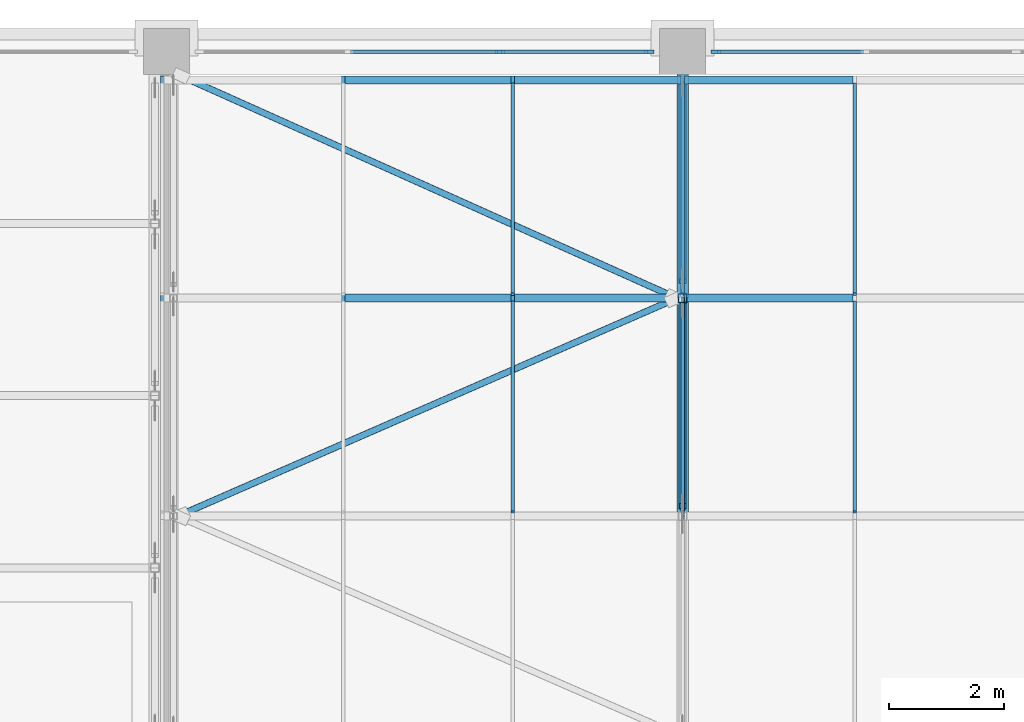
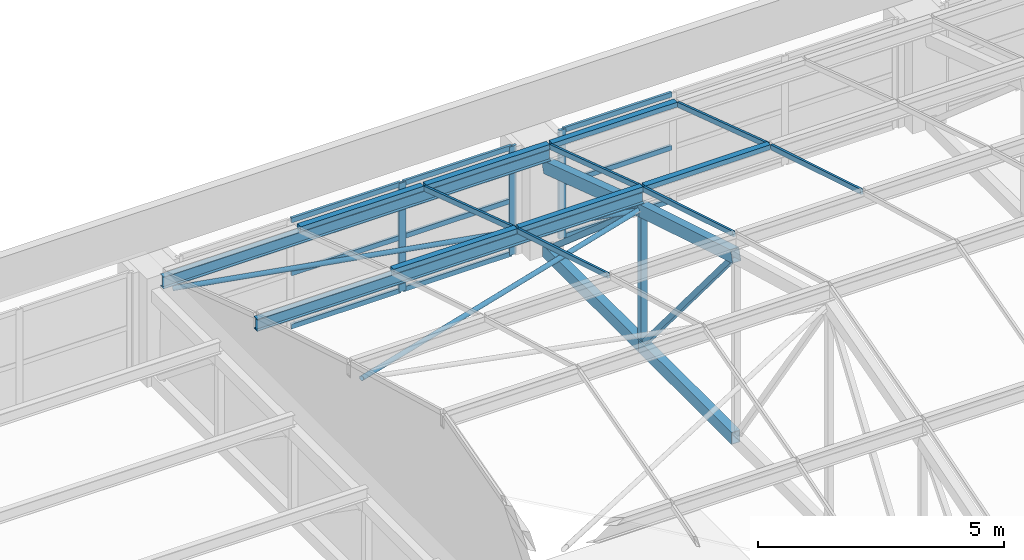
# One storey, part 9 of 82: 35 members, 3 elements without a shape of their own.
"""IFC4 building model written with IfcOpenShell, lengths in metres."""

from ifc_helpers import new_model, si_unit, direction, frame, origin, origin_2d, place, context, subcontext, project, spatial, rectangle, hollow_rectangle, hollow_circle, i_section, extrude, material, material_profile, profile_set, type_object, element, aggregate, save


model = new_model("IFC4")

# Units and contexts
model_context = context("Model", 3, precision=1e-05, world=origin(), true_north=direction((0.0, 1.0)))
body_context = subcontext(model_context, "Body", "Model", "MODEL_VIEW")
ifc_project = project(units=[si_unit("LENGTHUNIT", "METRE"), si_unit("AREAUNIT", "SQUARE_METRE"), si_unit("VOLUMEUNIT", "CUBIC_METRE"), si_unit("PLANEANGLEUNIT", "RADIAN"), si_unit("MASSUNIT", "GRAM", prefix="KILO")], contexts=[model_context])

# Site, building, storey
site_placement = place(None, origin())
site = spatial("IfcSite", under=ifc_project, at=site_placement, CompositionType="ELEMENT")
building_placement = place(site_placement, origin())
building = spatial("IfcBuilding", under=site, at=building_placement, Name="Aravalli Gate Trade Fair Centre", CompositionType="ELEMENT")
storey_placement = place(building_placement, frame((0.0, 0.0, 19.199951171875)))
storey = spatial("IfcBuildingStorey", under=building, at=storey_placement, Name="L04", CompositionType="ELEMENT", Elevation=19.199951171875)

# Members
ifc_material_1 = material(Name="Steel E350", Category="steel")
ifc_material_profile_1 = material_profile(ifc_material_1, hollow_circle(Radius=0.05712890625, WallThickness=0.00439453125, at=origin_2d()), Name="CHS 114.3x4.5")
ifc_profile_set_1 = profile_set([ifc_material_profile_1], Name="Steel E350")
member_type_1 = type_object("IfcMemberType", Name="CHS 114.3x4.5 roof plan brace", PredefinedType="BRACE", material=ifc_profile_set_1)
member_1_placement = place(storey_placement, frame((15.199951171875, 124.89990234375, 4.699462890625), z_axis=(0.909445062568, 0.397236211558, -0.122935228466), x_axis=(-0.400272399235, 0.916396206022, 0.0)))
element("IfcMember", 1, at=member_1_placement, inside=storey, type_object=member_type_1, Name="Vault plan brace 2.5", PredefinedType="BRACE", context=body_context, shape_type="SweptSolid", body=[
    extrude(hollow_circle(Radius=0.05712890625, WallThickness=0.00439453125, at=origin_2d()), origin(), (0.0, 0.0, 1.0), 9.566162109375),
])
member_2_placement = place(storey_placement, frame((15.199951171875, 132.60009765625, 2.265625), z_axis=(0.904679003205, -0.40556326859, 0.130668803971), x_axis=(0.409070609006, 0.912502732515, 0.0)))
element("IfcMember", 2, at=member_2_placement, inside=storey, type_object=member_type_1, Name="Vault plan brace 2.6", PredefinedType="BRACE", context=body_context, shape_type="SweptSolid", body=[
    extrude(hollow_circle(Radius=0.05712890625, WallThickness=0.00439453125, at=origin_2d()), origin(), (0.0, 0.0, 1.0), 9.61669921875),
])

# Curtain wall, members
ifc_material_2 = material(Name="Aluminium and glass", Category="aluminium")
curtain_wall_type_1 = type_object("IfcCurtainWallType", Name="Curtain wall 3000 module", PredefinedType="NOTDEFINED", material=ifc_material_2)
curtain_wall_1_placement = place(storey_placement, origin())
curtain_wall_1 = element("IfcCurtainWall", 3, at=curtain_wall_1_placement, inside=storey, type_object=curtain_wall_type_1, Name="Curtain wall north bay 2 L04", PredefinedType="NOTDEFINED")
ifc_material_3 = material(Name="Aluminium", Category="aluminium")
ifc_material_profile_2 = material_profile(ifc_material_3, rectangle(XDim=0.06005859375, YDim=0.159912109375, at=origin_2d()), Name="Concourse curtain wall mullion 60 x 160")
ifc_profile_set_2 = profile_set([ifc_material_profile_2], Name="Aluminium")
member_type_2 = type_object("IfcMemberType", Name="Concourse curtain wall mullion 60 x 160", PredefinedType="MULLION", material=ifc_profile_set_2)
member_3_placement = place(storey_placement, frame((20.816650390625, 133.0, 0.0), z_axis=(0.0, 0.0, 1.0), x_axis=(0.0, 1.0, 0.0)))
member_3 = element("IfcMember", 4, at=member_3_placement, type_object=member_type_2, Name="CW1 mullion 3", PredefinedType="MULLION", context=body_context, shape_type="SweptSolid", body=[
    extrude(rectangle(XDim=0.06005859375, YDim=0.159912109375, at=origin_2d()), origin(), (0.0, 0.0, 1.0), 2.699951171875),
])
member_4_placement = place(storey_placement, frame((23.419921875, 133.0, 0.0), z_axis=(0.0, 0.0, 1.0), x_axis=(0.0, 1.0, 0.0)))
member_4 = element("IfcMember", 5, at=member_4_placement, type_object=member_type_2, Name="CW1 mullion 4", PredefinedType="MULLION", context=body_context, shape_type="SweptSolid", body=[
    extrude(rectangle(XDim=0.06005859375, YDim=0.159912109375, at=origin_2d()), origin(), (0.0, 0.0, 1.0), 2.699951171875),
])

# Curtain wall, member
curtain_wall_2_placement = place(storey_placement, origin())
curtain_wall_2 = element("IfcCurtainWall", 6, at=curtain_wall_2_placement, inside=storey, type_object=curtain_wall_type_1, Name="Curtain wall north bay 3 L04", PredefinedType="NOTDEFINED")
member_5_placement = place(storey_placement, frame((24.580078125, 133.0, 0.0), z_axis=(0.0, 0.0, 1.0), x_axis=(0.0, 1.0, 0.0)))
member_5 = element("IfcMember", 7, at=member_5_placement, type_object=member_type_2, Name="CW1 mullion 1", PredefinedType="MULLION", context=body_context, shape_type="SweptSolid", body=[
    extrude(rectangle(XDim=0.06005859375, YDim=0.159912109375, at=origin_2d()), origin(), (0.0, 0.0, 1.0), 2.699951171875),
])

# Member
ifc_material_profile_3 = material_profile(ifc_material_3, rectangle(XDim=0.06005859375, YDim=0.1201171875, at=origin_2d()), Name="Concourse curtain wall transom 60 x 120")
ifc_profile_set_3 = profile_set([ifc_material_profile_3], Name="Aluminium")
member_type_3 = type_object("IfcMemberType", Name="Concourse curtain wall transom 60 x 120", PredefinedType="USERDEFINED", material=ifc_profile_set_3)
member_6_placement = place(storey_placement, frame((18.21337890625, 133.0, 0.030029296875), z_axis=(1.0, 0.0, 0.0), x_axis=(0.0, 1.0, 0.0)))
member_6 = element("IfcMember", 8, at=member_6_placement, type_object=member_type_3, Name="CW1 transom 2.1", ObjectType="TRANSOM", PredefinedType="USERDEFINED", context=body_context, shape_type="SweptSolid", body=[
    extrude(rectangle(XDim=0.06005859375, YDim=0.1201171875, at=origin_2d()), origin(), (0.0, 0.0, 1.0), 2.5732421875),
])

member_7_placement = place(storey_placement, frame((18.21337890625, 133.0, 1.35009765625), z_axis=(1.0, 0.0, 0.0), x_axis=(0.0, 1.0, 0.0)))
member_7 = element("IfcMember", 9, at=member_7_placement, type_object=member_type_3, Name="CW1 transom 2.2", ObjectType="TRANSOM", PredefinedType="USERDEFINED", context=body_context, shape_type="SweptSolid", body=[
    extrude(rectangle(XDim=0.06005859375, YDim=0.1201171875, at=origin_2d()), origin(), (0.0, 0.0, 1.0), 2.5732421875),
])

member_8_placement = place(storey_placement, frame((18.21337890625, 133.0, 2.670166015625), z_axis=(1.0, 0.0, 0.0), x_axis=(0.0, 1.0, 0.0)))
member_8 = element("IfcMember", 10, at=member_8_placement, type_object=member_type_3, Name="CW1 transom 2.3", ObjectType="TRANSOM", PredefinedType="USERDEFINED", context=body_context, shape_type="SweptSolid", body=[
    extrude(rectangle(XDim=0.06005859375, YDim=0.1201171875, at=origin_2d()), origin(), (0.0, 0.0, 1.0), 2.5732421875),
])

member_9_placement = place(storey_placement, frame((20.8466796875, 133.0, 0.030029296875), z_axis=(1.0, 0.0, 0.0), x_axis=(0.0, 1.0, 0.0)))
member_9 = element("IfcMember", 11, at=member_9_placement, type_object=member_type_3, Name="CW1 transom 3.1", ObjectType="TRANSOM", PredefinedType="USERDEFINED", context=body_context, shape_type="SweptSolid", body=[
    extrude(rectangle(XDim=0.06005859375, YDim=0.1201171875, at=origin_2d()), origin(), (0.0, 0.0, 1.0), 2.543212890625),
])

member_10_placement = place(storey_placement, frame((20.8466796875, 133.0, 1.35009765625), z_axis=(1.0, 0.0, 0.0), x_axis=(0.0, 1.0, 0.0)))
member_10 = element("IfcMember", 12, at=member_10_placement, type_object=member_type_3, Name="CW1 transom 3.2", ObjectType="TRANSOM", PredefinedType="USERDEFINED", context=body_context, shape_type="SweptSolid", body=[
    extrude(rectangle(XDim=0.06005859375, YDim=0.1201171875, at=origin_2d()), origin(), (0.0, 0.0, 1.0), 2.543212890625),
])

member_11_placement = place(storey_placement, frame((20.8466796875, 133.0, 2.670166015625), z_axis=(1.0, 0.0, 0.0), x_axis=(0.0, 1.0, 0.0)))
member_11 = element("IfcMember", 13, at=member_11_placement, type_object=member_type_3, Name="CW1 transom 3.3", ObjectType="TRANSOM", PredefinedType="USERDEFINED", context=body_context, shape_type="SweptSolid", body=[
    extrude(rectangle(XDim=0.06005859375, YDim=0.1201171875, at=origin_2d()), origin(), (0.0, 0.0, 1.0), 2.543212890625),
])

aggregate(curtain_wall_1, [member_3, member_4, member_6, member_7, member_8, member_9, member_10, member_11])

member_12_placement = place(storey_placement, frame((24.610107421875, 133.0, 0.030029296875), z_axis=(1.0, 0.0, 0.0), x_axis=(0.0, 1.0, 0.0)))
member_12 = element("IfcMember", 14, at=member_12_placement, type_object=member_type_3, Name="CW1 transom 1.1", ObjectType="TRANSOM", PredefinedType="USERDEFINED", context=body_context, shape_type="SweptSolid", body=[
    extrude(rectangle(XDim=0.06005859375, YDim=0.1201171875, at=origin_2d()), origin(), (0.0, 0.0, 1.0), 2.543212890625),
])

member_13_placement = place(storey_placement, frame((24.610107421875, 133.0, 1.35009765625), z_axis=(1.0, 0.0, 0.0), x_axis=(0.0, 1.0, 0.0)))
member_13 = element("IfcMember", 15, at=member_13_placement, type_object=member_type_3, Name="CW1 transom 1.2", ObjectType="TRANSOM", PredefinedType="USERDEFINED", context=body_context, shape_type="SweptSolid", body=[
    extrude(rectangle(XDim=0.06005859375, YDim=0.1201171875, at=origin_2d()), origin(), (0.0, 0.0, 1.0), 2.543212890625),
])

member_14_placement = place(storey_placement, frame((24.610107421875, 133.0, 2.670166015625), z_axis=(1.0, 0.0, 0.0), x_axis=(0.0, 1.0, 0.0)))
member_14 = element("IfcMember", 16, at=member_14_placement, type_object=member_type_3, Name="CW1 transom 1.3", ObjectType="TRANSOM", PredefinedType="USERDEFINED", context=body_context, shape_type="SweptSolid", body=[
    extrude(rectangle(XDim=0.06005859375, YDim=0.1201171875, at=origin_2d()), origin(), (0.0, 0.0, 1.0), 2.543212890625),
])

aggregate(curtain_wall_2, [member_5, member_12, member_13, member_14])

# Members
ifc_material_profile_4 = material_profile(ifc_material_1, i_section(OverallWidth=0.139892578125, OverallDepth=0.300048828125, WebThickness=0.0078125, FlangeThickness=0.01318359375, at=origin_2d()), Name="ISMB 300")
ifc_profile_set_4 = profile_set([ifc_material_profile_4], Name="Steel E350")
member_type_4 = type_object("IfcMemberType", Name="ISMB 300 roof purlin", PredefinedType="PURLIN", material=ifc_profile_set_4)
for number, where, z_axis, x_axis, name in (
    (17, (14.89990234375, 128.699951171875, 3.851318359375), (1.0, 0.0, 0.0), (0.0, 1.0, 0.0), "Vault purlin 02-03 F5"),
    (18, (14.89990234375, 132.5, 2.60302734375), (1.0, 0.0, 0.0), (0.0, 1.0, 0.0), "Vault purlin 02-03 F6"),
):
    element("IfcMember", number, at=place(storey_placement, frame(where, z_axis=z_axis, x_axis=x_axis)), inside=storey, type_object=member_type_4, Name=name, PredefinedType="PURLIN", context=body_context, shape_type="SweptSolid", body=[
        extrude(i_section(OverallWidth=0.139892578125, OverallDepth=0.300048828125, WebThickness=0.0078125, FlangeThickness=0.01318359375, at=origin_2d()), origin(), (0.0, 0.0, 1.0), 9.10009765625),
    ])
ifc_material_profile_5 = material_profile(ifc_material_1, hollow_rectangle(XDim=0.199951171875, YDim=0.300048828125, WallThickness=0.011962890625, at=origin_2d()), Name="RHS 300x200x12")
ifc_profile_set_5 = profile_set([ifc_material_profile_5], Name="Steel E350")
member_type_5 = type_object("IfcMemberType", Name="RHS 300x200x12 CT1 truss chord", PredefinedType="CHORD", material=ifc_profile_set_5)
member_15_placement = place(storey_placement, frame((24.0, 124.89990234375, 4.67333984375), z_axis=(0.0, 0.957138110877, -0.289631898634), x_axis=(-1.0, 0.0, 0.0)))
element("IfcMember", 19, at=member_15_placement, inside=storey, type_object=member_type_5, Name="Concourse vault truss CT1 line 03 top chord T5", PredefinedType="CHORD", context=body_context, shape_type="SweptSolid", body=[
    extrude(hollow_rectangle(XDim=0.199951171875, YDim=0.300048828125, WallThickness=0.011962890625, at=origin_2d()), origin(), (0.0, 0.0, 1.0), 3.97021484375),
])
member_16_placement = place(storey_placement, frame((24.0, 124.89990234375, 0.150146484375), z_axis=(0.0, 1.0, 0.0), x_axis=(-1.0, 0.0, 0.0)))
element("IfcMember", 20, at=member_16_placement, inside=storey, type_object=member_type_5, Name="Concourse vault truss CT1 line 03 bottom chord B5", PredefinedType="CHORD", context=body_context, shape_type="SweptSolid", body=[
    extrude(hollow_rectangle(XDim=0.199951171875, YDim=0.300048828125, WallThickness=0.011962890625, at=origin_2d()), origin(), (0.0, 0.0, 1.0), 3.800048828125),
])
member_17_placement = place(storey_placement, frame((24.0, 128.699951171875, 3.522216796875), z_axis=(0.0, 0.949924628731, -0.312479118872), x_axis=(-1.0, 0.0, 0.0)))
element("IfcMember", 21, at=member_17_placement, inside=storey, type_object=member_type_5, Name="Concourse vault truss CT1 line 03 top chord T6", PredefinedType="CHORD", context=body_context, shape_type="SweptSolid", body=[
    extrude(hollow_rectangle(XDim=0.199951171875, YDim=0.300048828125, WallThickness=0.011962890625, at=origin_2d()), origin(), (0.0, 0.0, 1.0), 4.105712890625),
])
member_18_placement = place(storey_placement, frame((24.0, 128.699951171875, 0.150146484375), z_axis=(0.0, 1.0, 0.0), x_axis=(-1.0, 0.0, 0.0)))
element("IfcMember", 22, at=member_18_placement, inside=storey, type_object=member_type_5, Name="Concourse vault truss CT1 line 03 bottom chord B6", PredefinedType="CHORD", context=body_context, shape_type="SweptSolid", body=[
    extrude(hollow_rectangle(XDim=0.199951171875, YDim=0.300048828125, WallThickness=0.011962890625, at=origin_2d()), origin(), (0.0, 0.0, 1.0), 3.900146484375),
])
ifc_material_profile_6 = material_profile(ifc_material_1, hollow_rectangle(XDim=0.125, YDim=0.125, WallThickness=0.006103515625, at=origin_2d()), Name="SHS 125x125x6")
ifc_profile_set_6 = profile_set([ifc_material_profile_6], Name="Steel E350")
member_type_6 = type_object("IfcMemberType", Name="SHS 125x125x6 CT1 truss diagonal", PredefinedType="BRACE", material=ifc_profile_set_6)
member_19_placement = place(storey_placement, frame((24.0, 125.076416015625, 4.463134765625), z_axis=(0.0, 0.643253159982, -0.765653558845), x_axis=(-1.0, 0.0, 0.0)))
element("IfcMember", 23, at=member_19_placement, inside=storey, type_object=member_type_6, Name="Concourse vault truss CT1 line 03 diagonal D5", PredefinedType="BRACE", context=body_context, shape_type="SweptSolid", body=[
    extrude(hollow_rectangle(XDim=0.125, YDim=0.125, WallThickness=0.006103515625, at=origin_2d()), origin(), (0.0, 0.0, 1.0), 5.437255859375),
])
member_20_placement = place(storey_placement, frame((24.0, 128.994873046875, 3.267333984375), z_axis=(0.0, 0.756430814482, -0.654073713661), x_axis=(-1.0, 0.0, 0.0)))
element("IfcMember", 24, at=member_20_placement, inside=storey, type_object=member_type_6, Name="Concourse vault truss CT1 line 03 diagonal D6", PredefinedType="BRACE", context=body_context, shape_type="SweptSolid", body=[
    extrude(hollow_rectangle(XDim=0.125, YDim=0.125, WallThickness=0.006103515625, at=origin_2d()), origin(), (0.0, 0.0, 1.0), 4.53662109375),
])
ifc_material_profile_7 = material_profile(ifc_material_1, hollow_rectangle(XDim=0.14990234375, YDim=0.14990234375, WallThickness=0.006103515625, at=origin_2d()), Name="SHS 150x150x6")
ifc_profile_set_7 = profile_set([ifc_material_profile_7], Name="Steel E350")
member_type_7 = type_object("IfcMemberType", Name="SHS 150x150x6 CT1 truss post", PredefinedType="POST", material=ifc_profile_set_7)
member_21_placement = place(storey_placement, frame((24.0, 128.699951171875, 0.300048828125), z_axis=(0.0, 0.0, 1.0), x_axis=(1.0, 0.0, 0.0)))
element("IfcMember", 25, at=member_21_placement, inside=storey, type_object=member_type_7, Name="Concourse vault truss CT1 line 03 post V5", PredefinedType="POST", context=body_context, shape_type="SweptSolid", body=[
    extrude(hollow_rectangle(XDim=0.14990234375, YDim=0.14990234375, WallThickness=0.006103515625, at=origin_2d()), origin(), (0.0, 0.0, 1.0), 3.064208984375),
])
ifc_material_profile_8 = material_profile(ifc_material_3, rectangle(XDim=0.139892578125, YDim=0.1201171875, at=origin_2d()), Name="Vault fold cap 140 x 120")
ifc_profile_set_8 = profile_set([ifc_material_profile_8], Name="Aluminium")
member_type_8 = type_object("IfcMemberType", Name="Vault fold cap 140 x 120", PredefinedType="USERDEFINED", material=ifc_profile_set_8)
for number, where, z_axis, x_axis, name in (
    (26, (18.11328125, 128.699951171875, 4.061279296875), (1.0, 0.0, 0.0), (0.0, 1.0, 0.0), "Vault fold cap w2.5"),
    (27, (18.11328125, 132.5, 2.81298828125), (1.0, 0.0, 0.0), (0.0, 1.0, 0.0), "Vault fold cap w2.6"),
):
    element("IfcMember", number, at=place(storey_placement, frame(where, z_axis=z_axis, x_axis=x_axis)), inside=storey, type_object=member_type_8, Name=name, ObjectType="FOLD CAP", PredefinedType="USERDEFINED", context=body_context, shape_type="SweptSolid", body=[
        extrude(rectangle(XDim=0.139892578125, YDim=0.1201171875, at=origin_2d()), origin(), (0.0, 0.0, 1.0), 2.8984375),
    ])
for number, where, z_axis, x_axis, name in (
    (28, (21.07177734375, 128.699951171875, 4.061279296875), (1.0, 0.0, 0.0), (0.0, 1.0, 0.0), "Vault fold cap w3.5"),
    (29, (21.07177734375, 132.5, 2.81298828125), (1.0, 0.0, 0.0), (0.0, 1.0, 0.0), "Vault fold cap w3.6"),
):
    element("IfcMember", number, at=place(storey_placement, frame(where, z_axis=z_axis, x_axis=x_axis)), inside=storey, type_object=member_type_8, Name=name, ObjectType="FOLD CAP", PredefinedType="USERDEFINED", context=body_context, shape_type="SweptSolid", body=[
        extrude(rectangle(XDim=0.139892578125, YDim=0.1201171875, at=origin_2d()), origin(), (0.0, 0.0, 1.0), 2.898193359375),
    ])
for number, where, z_axis, x_axis, name in (
    (30, (24.030029296875, 128.699951171875, 4.061279296875), (1.0, 0.0, 0.0), (0.0, 1.0, 0.0), "Vault fold cap w4.5"),
    (31, (24.030029296875, 132.5, 2.81298828125), (1.0, 0.0, 0.0), (0.0, 1.0, 0.0), "Vault fold cap w4.6"),
):
    element("IfcMember", number, at=place(storey_placement, frame(where, z_axis=z_axis, x_axis=x_axis)), inside=storey, type_object=member_type_8, Name=name, ObjectType="FOLD CAP", PredefinedType="USERDEFINED", context=body_context, shape_type="SweptSolid", body=[
        extrude(rectangle(XDim=0.139892578125, YDim=0.1201171875, at=origin_2d()), origin(), (0.0, 0.0, 1.0), 2.93994140625),
    ])

# Curtain wall, members
curtain_wall_type_2 = type_object("IfcCurtainWallType", Name="Vault curtain wall, sloped glazing", PredefinedType="NOTDEFINED", material=ifc_material_2)
curtain_wall_3_placement = place(storey_placement, origin())
curtain_wall_3 = element("IfcCurtainWall", 32, at=curtain_wall_3_placement, inside=storey, type_object=curtain_wall_type_2, Name="Vault curtain wall w", PredefinedType="NOTDEFINED")
ifc_material_profile_9 = material_profile(ifc_material_3, rectangle(XDim=0.06005859375, YDim=0.1201171875, at=origin_2d()), Name="Vault glazing bar 60 x 120")
ifc_profile_set_9 = profile_set([ifc_material_profile_9], Name="Aluminium")
member_type_9 = type_object("IfcMemberType", Name="Vault glazing bar 60 x 120", PredefinedType="USERDEFINED", material=ifc_profile_set_9)
member_22_placement = place(storey_placement, frame((21.041748046875, 124.969970703125, 5.166259765625), z_axis=(0.0, 0.957125834694, -0.289672464279), x_axis=(-1.0, 0.0, 0.0)))
member_22 = element("IfcMember", 33, at=member_22_placement, type_object=member_type_9, Name="Vault glazing bar w3.5", ObjectType="GLAZING BAR", PredefinedType="USERDEFINED", context=body_context, shape_type="SweptSolid", body=[
    extrude(rectangle(XDim=0.06005859375, YDim=0.1201171875, at=origin_2d()), origin(), (0.0, 0.0, 1.0), 3.823974609375),
])
member_23_placement = place(storey_placement, frame((21.041748046875, 128.77001953125, 4.013916015625), z_axis=(0.0, 0.949930492103, -0.31246129388), x_axis=(-1.0, 0.0, 0.0)))
member_23 = element("IfcMember", 34, at=member_23_placement, type_object=member_type_9, Name="Vault glazing bar w3.6", ObjectType="GLAZING BAR", PredefinedType="USERDEFINED", context=body_context, shape_type="SweptSolid", body=[
    extrude(rectangle(XDim=0.06005859375, YDim=0.1201171875, at=origin_2d()), origin(), (0.0, 0.0, 1.0), 3.852783203125),
])
member_24_placement = place(storey_placement, frame((24.0, 124.969970703125, 5.166259765625), z_axis=(0.0, 0.957125834694, -0.289672464279), x_axis=(-1.0, 0.0, 0.0)))
member_24 = element("IfcMember", 35, at=member_24_placement, type_object=member_type_9, Name="Vault glazing bar w4.5", ObjectType="GLAZING BAR", PredefinedType="USERDEFINED", context=body_context, shape_type="SweptSolid", body=[
    extrude(rectangle(XDim=0.06005859375, YDim=0.1201171875, at=origin_2d()), origin(), (0.0, 0.0, 1.0), 3.823974609375),
])
member_25_placement = place(storey_placement, frame((24.0, 128.77001953125, 4.013916015625), z_axis=(0.0, 0.949930492103, -0.31246129388), x_axis=(-1.0, 0.0, 0.0)))
member_25 = element("IfcMember", 36, at=member_25_placement, type_object=member_type_9, Name="Vault glazing bar w4.6", ObjectType="GLAZING BAR", PredefinedType="USERDEFINED", context=body_context, shape_type="SweptSolid", body=[
    extrude(rectangle(XDim=0.06005859375, YDim=0.1201171875, at=origin_2d()), origin(), (0.0, 0.0, 1.0), 3.852783203125),
])
member_26_placement = place(storey_placement, frame((27.0, 124.969970703125, 5.166259765625), z_axis=(0.0, 0.957125834694, -0.289672464279), x_axis=(-1.0, 0.0, 0.0)))
member_26 = element("IfcMember", 37, at=member_26_placement, type_object=member_type_9, Name="Vault glazing bar w5.5", ObjectType="GLAZING BAR", PredefinedType="USERDEFINED", context=body_context, shape_type="SweptSolid", body=[
    extrude(rectangle(XDim=0.06005859375, YDim=0.1201171875, at=origin_2d()), origin(), (0.0, 0.0, 1.0), 3.823974609375),
])
member_27_placement = place(storey_placement, frame((27.0, 128.77001953125, 4.013916015625), z_axis=(0.0, 0.949930492103, -0.31246129388), x_axis=(-1.0, 0.0, 0.0)))
member_27 = element("IfcMember", 38, at=member_27_placement, type_object=member_type_9, Name="Vault glazing bar w5.6", ObjectType="GLAZING BAR", PredefinedType="USERDEFINED", context=body_context, shape_type="SweptSolid", body=[
    extrude(rectangle(XDim=0.06005859375, YDim=0.1201171875, at=origin_2d()), origin(), (0.0, 0.0, 1.0), 3.852783203125),
])
aggregate(curtain_wall_3, [member_22, member_23, member_24, member_25, member_26, member_27])

save(model, "model.ifc")
